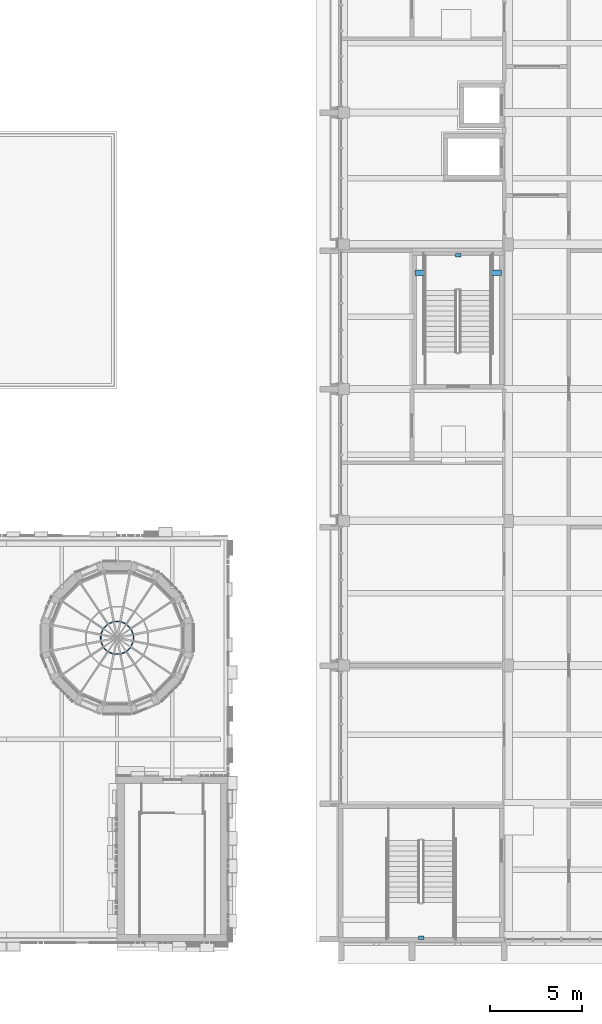
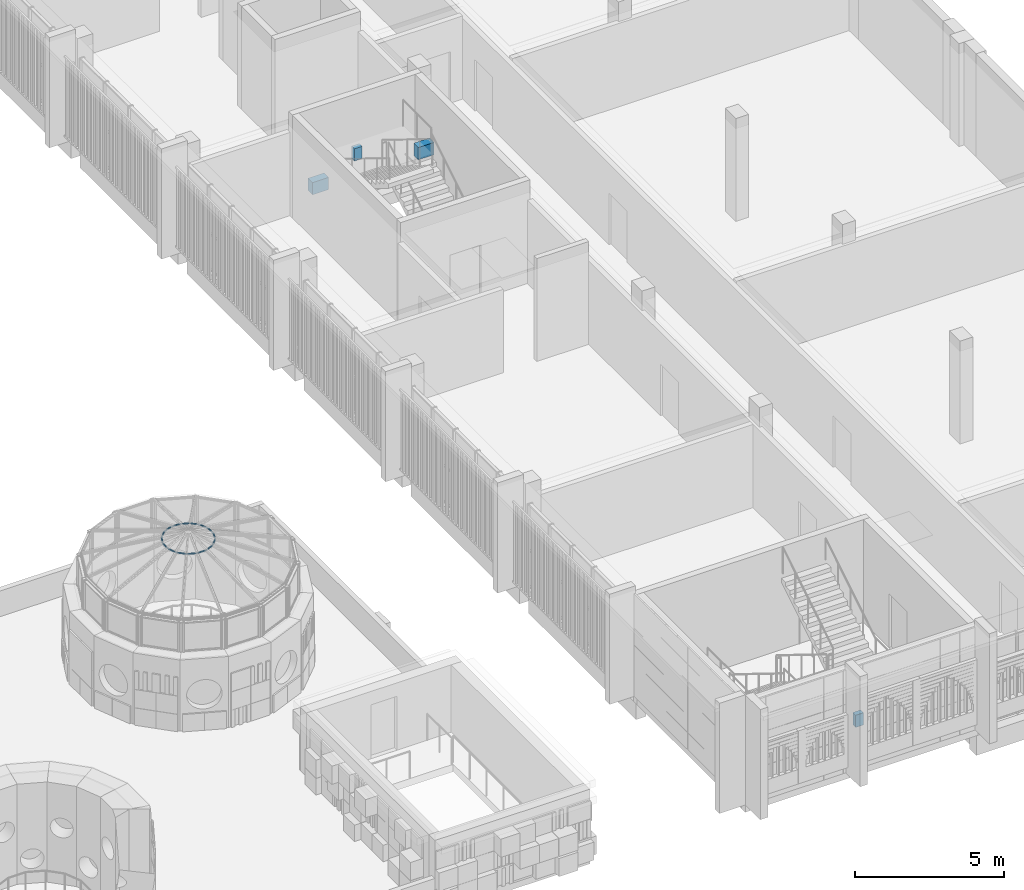
# One storey, part 41 of 98: 16 members, 4 beams.
"""IFC4 building model written with IfcOpenShell, lengths in metres."""

import ifcopenshell
import ifcopenshell.guid

model = None  # the IFC model being written
_history = None  # IfcOwnerHistory: only IFC2X3 demands one
_inside = {}  # id of a spatial element -> (the spatial element, [elements in it])
_under = {}  # id of a project, library or spatial element -> (it, [spatial elements below it])
_declared = {}  # id of a project -> (the project, [libraries it declares])
_typed = {}  # id of a type object -> (the type object, [elements of that type])
_made_of = {}  # id of a material, layer set ... -> (it, [elements and type objects made of it])


def new_model(schema):
    """Start an empty IFC model of exactly this schema.

    Asked for "IFC4X3", IfcOpenShell would pick the latest addendum, in which some entities
    have other attributes; the version numbers below select the first issue.
    IFC2X3 requires an IfcOwnerHistory on every rooted entity: one is made here for all.
    """
    global model, _history
    if schema == "IFC4X3":
        model = ifcopenshell.file(schema_version=(4, 3, 0, 0))
    else:
        model = ifcopenshell.file(schema=schema)
    _inside.clear()
    _under.clear()
    _declared.clear()
    _typed.clear()
    _made_of.clear()
    _history = None
    if model.schema == "IFC2X3":
        org = make("IfcOrganization", Name="unknown")
        user = make(
            "IfcPersonAndOrganization",
            ThePerson=make("IfcPerson", FamilyName="unknown"),
            TheOrganization=org,
        )
        app = make(
            "IfcApplication",
            ApplicationDeveloper=org,
            Version="unknown",
            ApplicationFullName="unknown",
            ApplicationIdentifier="unknown",
        )
        _history = make(
            "IfcOwnerHistory",
            OwningUser=user,
            OwningApplication=app,
            ChangeAction="ADDED",
            CreationDate=0,
        )
    return model


def make(cls, **values):
    """One entity of the class cls with the attributes given. An attribute that is None is left unset."""
    return model.create_entity(
        cls, **{name: value for name, value in values.items() if value is not None}
    )


def rooted(cls, **values):
    """An entity with a GlobalId (a new one), such as an element, a storey or a relation."""
    return make(cls, GlobalId=ifcopenshell.guid.new(), OwnerHistory=_history, **values)


def si_unit(unit_type, name, prefix=None):
    """IfcSIUnit, for example si_unit("LENGTHUNIT", "METRE", prefix="MILLI")."""
    return make("IfcSIUnit", UnitType=unit_type, Prefix=prefix, Name=name)


def assignment(units):
    """IfcUnitAssignment: the units of a project."""
    return None if units is None else make("IfcUnitAssignment", Units=units)


def point(xyz):
    """IfcCartesianPoint."""
    return None if xyz is None else make("IfcCartesianPoint", Coordinates=xyz)


def direction(xyz):
    """IfcDirection."""
    return None if xyz is None else make("IfcDirection", DirectionRatios=xyz)


def frame(location, z_axis=None, x_axis=None):
    """IfcAxis2Placement3D, a coordinate frame: its origin and axes. An axis left out is left unset."""
    return make(
        "IfcAxis2Placement3D",
        Location=point(location),
        Axis=direction(z_axis),
        RefDirection=direction(x_axis),
    )


def frame_2d(location, x_axis=None):
    """IfcAxis2Placement2D, a coordinate frame in the plane: its origin and x axis."""
    return make(
        "IfcAxis2Placement2D", Location=point(location), RefDirection=direction(x_axis)
    )


def origin():
    """The frame at (0, 0, 0) with its axes left unset."""
    return frame((0.0, 0.0, 0.0))


def origin_2d():
    """The frame at (0, 0) in the plane with its x axis left unset."""
    return frame_2d((0.0, 0.0))


def place(relative_to, where):
    """IfcLocalPlacement: puts the frame where relative to a parent placement (None: the world)."""
    return make(
        "IfcLocalPlacement", PlacementRelTo=relative_to, RelativePlacement=where
    )


def context(
    kind, dimensions, precision=None, world=None, true_north=None, identifier=None
):
    """IfcGeometricRepresentationContext, for example the 3D "Model" context."""
    return make(
        "IfcGeometricRepresentationContext",
        ContextIdentifier=identifier,
        ContextType=kind,
        CoordinateSpaceDimension=dimensions,
        Precision=precision,
        WorldCoordinateSystem=world,
        TrueNorth=true_north,
    )


def subcontext(parent, identifier, kind, view, scale=None):
    """IfcGeometricRepresentationSubContext, for example "Body" below "Model"."""
    return make(
        "IfcGeometricRepresentationSubContext",
        ContextIdentifier=identifier,
        ContextType=kind,
        ParentContext=parent,
        TargetScale=scale,
        TargetView=view,
    )


def project(units=None, contexts=None):
    """IfcProject with its units and contexts."""
    return rooted(
        "IfcProject",
        Name="project",
        RepresentationContexts=contexts,
        UnitsInContext=assignment(units),
    )


def spatial(cls, under=None, at=None, **own):
    """A site, building, storey or space (cls), placed at a placement, below another one or the project."""
    s = rooted(cls, ObjectPlacement=at, **own)
    if under is not None:
        _under.setdefault(under.id(), (under, []))[1].append(s)
    return s


def profile(cls, at=None, kind="AREA", **sizes):
    """A parametric profile (cls). Its sizes go by their IFC names, for example OverallWidth=200.0."""
    return make(cls, ProfileType=kind, Position=at, **sizes)


def rectangle(**sizes):
    """IfcRectangleProfileDef."""
    return profile("IfcRectangleProfileDef", **sizes)


def hollow_circle(**sizes):
    """IfcCircleHollowProfileDef."""
    return profile("IfcCircleHollowProfileDef", **sizes)


def extrude(swept, where, along, depth):
    """IfcExtrudedAreaSolid: the profile swept, set in the frame where, extruded along a direction by depth."""
    return make(
        "IfcExtrudedAreaSolid",
        SweptArea=swept,
        Position=where,
        ExtrudedDirection=direction(along),
        Depth=depth,
    )


def shape(context_of_items, identifier, shape_type, items):
    """IfcShapeRepresentation: the items that make up one representation, for example the "Body"."""
    return make(
        "IfcShapeRepresentation",
        ContextOfItems=context_of_items,
        RepresentationIdentifier=identifier,
        RepresentationType=shape_type,
        Items=items,
    )


def material(Name=None, Category=None):
    """IfcMaterial."""
    return make("IfcMaterial", Name=Name, Category=Category)


def material_profile(
    of_material, cross_section, Name=None, Category=None, Priority=None
):
    """IfcMaterialProfile: a cross section and its material."""
    return make(
        "IfcMaterialProfile",
        Name=Name,
        Material=of_material,
        Profile=cross_section,
        Priority=Priority,
        Category=Category,
    )


def profile_set(profiles, Name=None, composite=None):
    """IfcMaterialProfileSet."""
    return make(
        "IfcMaterialProfileSet",
        Name=Name,
        MaterialProfiles=profiles,
        CompositeProfile=composite,
    )


def made_of(thing, what):
    """Note that an element or type object is made of a material, layer set ...; save() writes the relation."""
    if what is not None:
        _made_of.setdefault(what.id(), (what, []))[1].append(thing)
    return thing


def type_object(cls, material=None, **own):
    """A type object (cls), such as IfcWallType, which elements share."""
    return made_of(rooted(cls, **own), material)


def element(
    cls,
    number,
    at=None,
    inside=None,
    cuts=None,
    type_object=None,
    material=None,
    context=None,
    identifier="Body",
    shape_type=None,
    held_by="IfcProductDefinitionShape",
    body=None,
    shapes=None,
    **own,
):
    """One element of the class cls, such as IfcWall. Its Tag is "e" and its number.

    at: its placement. inside: the storey or other place that contains it. cuts: it is an
    opening in that element (IfcRelVoidsElement). A single representation is given by context,
    identifier, shape_type and body (its items); several are given by shapes. held_by: the class
    of the entity that holds the representations. save() writes the other relations.
    """
    e = rooted(cls, Tag="e%d" % number, ObjectPlacement=at, **own)
    if body is not None:
        shapes = [shape(context, identifier, shape_type, body)]
    if shapes is not None:
        e.Representation = make(held_by, Representations=shapes)
    if inside is not None:
        _inside.setdefault(inside.id(), (inside, []))[1].append(e)
    if cuts is not None:
        rooted(
            "IfcRelVoidsElement", RelatingBuildingElement=cuts, RelatedOpeningElement=e
        )
    if type_object is not None:
        _typed.setdefault(type_object.id(), (type_object, []))[1].append(e)
    return made_of(e, material)


def aggregate(whole, parts):
    """IfcRelAggregates: a whole, such as a stair, and the parts it consists of."""
    return rooted("IfcRelAggregates", RelatingObject=whole, RelatedObjects=parts)


def save(model, path):
    """Write the relations noted so far, then the file.

    IfcRelAggregates (storeys below a building ...), IfcRelContainedInSpatialStructure (elements
    in a storey), IfcRelDefinesByType, IfcRelAssociatesMaterial and IfcRelDeclares: one each for
    every whole, place, type object, material and project.
    """
    for whole, parts in _under.values():
        aggregate(whole, parts)
    for where, things in _inside.values():
        rooted(
            "IfcRelContainedInSpatialStructure",
            RelatedElements=things,
            RelatingStructure=where,
        )
    for kind, things in _typed.values():
        rooted("IfcRelDefinesByType", RelatedObjects=things, RelatingType=kind)
    for what, things in _made_of.values():
        rooted("IfcRelAssociatesMaterial", RelatedObjects=things, RelatingMaterial=what)
    for by, libraries in _declared.values():
        rooted("IfcRelDeclares", RelatingContext=by, RelatedDefinitions=libraries)
    model.write(path)


model = new_model("IFC4")

# Units and contexts
model_context = context("Model", 3, precision=1e-05, world=origin(), true_north=direction((0.0, 1.0)))
body_context = subcontext(model_context, "Body", "Model", "MODEL_VIEW")
ifc_project = project(units=[si_unit("LENGTHUNIT", "METRE"), si_unit("AREAUNIT", "SQUARE_METRE"), si_unit("VOLUMEUNIT", "CUBIC_METRE"), si_unit("PLANEANGLEUNIT", "RADIAN"), si_unit("MASSUNIT", "GRAM", prefix="KILO")], contexts=[model_context])

# Site, building, storey
site_placement = place(None, origin())
site = spatial("IfcSite", under=ifc_project, at=site_placement, CompositionType="ELEMENT")
building_placement = place(site_placement, origin())
building = spatial("IfcBuilding", under=site, at=building_placement, Name="Sun Court Science Centre", CompositionType="ELEMENT")
storey_placement = place(building_placement, frame((0.0, 0.0, 15.75)))
storey = spatial("IfcBuildingStorey", under=building, at=storey_placement, Name="L03", CompositionType="ELEMENT", Elevation=15.75)

# Members
ifc_material_1 = material(Name="Steel S355", Category="steel")
ifc_material_profile_1 = material_profile(ifc_material_1, hollow_circle(Radius=0.030029296875, WallThickness=0.0048828125, at=origin_2d()), Name="CHS 60.3x5")
ifc_profile_set_1 = profile_set([ifc_material_profile_1], Name="Steel S355")
member_type = type_object("IfcMemberType", Name="Lantern vent ring CHS 60.3x5", PredefinedType="CHORD", material=ifc_profile_set_1)
member_1_placement = place(storey_placement, frame((66.8828125, 22.675537109375, 5.081298828125), z_axis=(-0.382986090474, 0.923754109329, 0.0), x_axis=(-0.923754109329, -0.382986090474, 0.0)))
element("IfcMember", 1, at=member_1_placement, inside=storey, type_object=member_type, Name="Cone 6 lantern vent ring 1", PredefinedType="CHORD", context=body_context, shape_type="SweptSolid", body=[
    extrude(hollow_circle(Radius=0.030029296875, WallThickness=0.0048828125, at=origin_2d()), origin(), (0.0, 0.0, 1.0), 0.351318359375),
])
member_2_placement = place(storey_placement, frame((66.748291015625, 23.0, 5.081298828125), z_axis=(-0.707106781187, 0.707106781187, 0.0), x_axis=(-0.707106781187, -0.707106781187, 0.0)))
element("IfcMember", 2, at=member_2_placement, inside=storey, type_object=member_type, Name="Cone 6 lantern vent ring 2", PredefinedType="CHORD", context=body_context, shape_type="SweptSolid", body=[
    extrude(hollow_circle(Radius=0.030029296875, WallThickness=0.0048828125, at=origin_2d()), origin(), (0.0, 0.0, 1.0), 0.35107421875),
])
member_3_placement = place(storey_placement, frame((66.5, 23.248291015625, 5.081298828125), z_axis=(-0.923754109329, 0.382986090474, 0.0), x_axis=(-0.382986090474, -0.923754109329, 0.0)))
element("IfcMember", 3, at=member_3_placement, inside=storey, type_object=member_type, Name="Cone 6 lantern vent ring 3", PredefinedType="CHORD", context=body_context, shape_type="SweptSolid", body=[
    extrude(hollow_circle(Radius=0.030029296875, WallThickness=0.0048828125, at=origin_2d()), origin(), (0.0, 0.0, 1.0), 0.351318359375),
])
member_4_placement = place(storey_placement, frame((66.175537109375, 23.3828125, 5.081298828125), z_axis=(-1.0, 0.0, 0.0), x_axis=(0.0, -1.0, 0.0)))
element("IfcMember", 4, at=member_4_placement, inside=storey, type_object=member_type, Name="Cone 6 lantern vent ring 4", PredefinedType="CHORD", context=body_context, shape_type="SweptSolid", body=[
    extrude(hollow_circle(Radius=0.030029296875, WallThickness=0.0048828125, at=origin_2d()), origin(), (0.0, 0.0, 1.0), 0.35107421875),
])
member_5_placement = place(storey_placement, frame((65.824462890625, 23.3828125, 5.081298828125), z_axis=(-0.923754109329, -0.382986090474, 0.0), x_axis=(0.382986090474, -0.923754109329, 0.0)))
element("IfcMember", 5, at=member_5_placement, inside=storey, type_object=member_type, Name="Cone 6 lantern vent ring 5", PredefinedType="CHORD", context=body_context, shape_type="SweptSolid", body=[
    extrude(hollow_circle(Radius=0.030029296875, WallThickness=0.0048828125, at=origin_2d()), origin(), (0.0, 0.0, 1.0), 0.351318359375),
])
member_6_placement = place(storey_placement, frame((65.5, 23.248291015625, 5.081298828125), z_axis=(-0.707106781187, -0.707106781187, 0.0), x_axis=(0.707106781187, -0.707106781187, 0.0)))
element("IfcMember", 6, at=member_6_placement, inside=storey, type_object=member_type, Name="Cone 6 lantern vent ring 6", PredefinedType="CHORD", context=body_context, shape_type="SweptSolid", body=[
    extrude(hollow_circle(Radius=0.030029296875, WallThickness=0.0048828125, at=origin_2d()), origin(), (0.0, 0.0, 1.0), 0.35107421875),
])
member_7_placement = place(storey_placement, frame((65.251708984375, 23.0, 5.081298828125), z_axis=(-0.382986090474, -0.923754109329, 0.0), x_axis=(0.923754109329, -0.382986090474, 0.0)))
element("IfcMember", 7, at=member_7_placement, inside=storey, type_object=member_type, Name="Cone 6 lantern vent ring 7", PredefinedType="CHORD", context=body_context, shape_type="SweptSolid", body=[
    extrude(hollow_circle(Radius=0.030029296875, WallThickness=0.0048828125, at=origin_2d()), origin(), (0.0, 0.0, 1.0), 0.351318359375),
])
member_8_placement = place(storey_placement, frame((65.1171875, 22.675537109375, 5.081298828125), z_axis=(0.0, -1.0, 0.0), x_axis=(1.0, 0.0, 0.0)))
element("IfcMember", 8, at=member_8_placement, inside=storey, type_object=member_type, Name="Cone 6 lantern vent ring 8", PredefinedType="CHORD", context=body_context, shape_type="SweptSolid", body=[
    extrude(hollow_circle(Radius=0.030029296875, WallThickness=0.0048828125, at=origin_2d()), origin(), (0.0, 0.0, 1.0), 0.35107421875),
])
member_9_placement = place(storey_placement, frame((65.1171875, 22.324462890625, 5.081298828125), z_axis=(0.382986090474, -0.923754109329, 0.0), x_axis=(0.923754109329, 0.382986090474, 0.0)))
element("IfcMember", 9, at=member_9_placement, inside=storey, type_object=member_type, Name="Cone 6 lantern vent ring 9", PredefinedType="CHORD", context=body_context, shape_type="SweptSolid", body=[
    extrude(hollow_circle(Radius=0.030029296875, WallThickness=0.0048828125, at=origin_2d()), origin(), (0.0, 0.0, 1.0), 0.351318359375),
])
member_10_placement = place(storey_placement, frame((65.251708984375, 22.0, 5.081298828125), z_axis=(0.707106781187, -0.707106781187, 0.0), x_axis=(0.707106781187, 0.707106781187, 0.0)))
element("IfcMember", 10, at=member_10_placement, inside=storey, type_object=member_type, Name="Cone 6 lantern vent ring 10", PredefinedType="CHORD", context=body_context, shape_type="SweptSolid", body=[
    extrude(hollow_circle(Radius=0.030029296875, WallThickness=0.0048828125, at=origin_2d()), origin(), (0.0, 0.0, 1.0), 0.35107421875),
])
member_11_placement = place(storey_placement, frame((65.5, 21.751708984375, 5.081298828125), z_axis=(0.923754109329, -0.382986090474, 0.0), x_axis=(0.382986090474, 0.923754109329, 0.0)))
element("IfcMember", 11, at=member_11_placement, inside=storey, type_object=member_type, Name="Cone 6 lantern vent ring 11", PredefinedType="CHORD", context=body_context, shape_type="SweptSolid", body=[
    extrude(hollow_circle(Radius=0.030029296875, WallThickness=0.0048828125, at=origin_2d()), origin(), (0.0, 0.0, 1.0), 0.351318359375),
])
member_12_placement = place(storey_placement, frame((65.824462890625, 21.6171875, 5.081298828125), z_axis=(1.0, 0.0, 0.0), x_axis=(0.0, 1.0, 0.0)))
element("IfcMember", 12, at=member_12_placement, inside=storey, type_object=member_type, Name="Cone 6 lantern vent ring 12", PredefinedType="CHORD", context=body_context, shape_type="SweptSolid", body=[
    extrude(hollow_circle(Radius=0.030029296875, WallThickness=0.0048828125, at=origin_2d()), origin(), (0.0, 0.0, 1.0), 0.35107421875),
])
member_13_placement = place(storey_placement, frame((66.175537109375, 21.6171875, 5.081298828125), z_axis=(0.923754109329, 0.382986090474, 0.0), x_axis=(-0.382986090474, 0.923754109329, 0.0)))
element("IfcMember", 13, at=member_13_placement, inside=storey, type_object=member_type, Name="Cone 6 lantern vent ring 13", PredefinedType="CHORD", context=body_context, shape_type="SweptSolid", body=[
    extrude(hollow_circle(Radius=0.030029296875, WallThickness=0.0048828125, at=origin_2d()), origin(), (0.0, 0.0, 1.0), 0.351318359375),
])
member_14_placement = place(storey_placement, frame((66.5, 21.751708984375, 5.081298828125), z_axis=(0.707106781187, 0.707106781187, 0.0), x_axis=(-0.707106781187, 0.707106781187, 0.0)))
element("IfcMember", 14, at=member_14_placement, inside=storey, type_object=member_type, Name="Cone 6 lantern vent ring 14", PredefinedType="CHORD", context=body_context, shape_type="SweptSolid", body=[
    extrude(hollow_circle(Radius=0.030029296875, WallThickness=0.0048828125, at=origin_2d()), origin(), (0.0, 0.0, 1.0), 0.35107421875),
])
member_15_placement = place(storey_placement, frame((66.748291015625, 22.0, 5.081298828125), z_axis=(0.382986090474, 0.923754109329, 0.0), x_axis=(-0.923754109329, 0.382986090474, 0.0)))
element("IfcMember", 15, at=member_15_placement, inside=storey, type_object=member_type, Name="Cone 6 lantern vent ring 15", PredefinedType="CHORD", context=body_context, shape_type="SweptSolid", body=[
    extrude(hollow_circle(Radius=0.030029296875, WallThickness=0.0048828125, at=origin_2d()), origin(), (0.0, 0.0, 1.0), 0.351318359375),
])
member_16_placement = place(storey_placement, frame((66.8828125, 22.324462890625, 5.081298828125), z_axis=(0.0, 1.0, 0.0), x_axis=(-1.0, 0.0, 0.0)))
element("IfcMember", 16, at=member_16_placement, inside=storey, type_object=member_type, Name="Cone 6 lantern vent ring 16", PredefinedType="CHORD", context=body_context, shape_type="SweptSolid", body=[
    extrude(hollow_circle(Radius=0.030029296875, WallThickness=0.0048828125, at=origin_2d()), origin(), (0.0, 0.0, 1.0), 0.35107421875),
])

# Beams
ifc_material_2 = material(Name="Concrete C25/30", Category="concrete")
ifc_material_profile_2 = material_profile(ifc_material_2, rectangle(XDim=0.300048828125, YDim=0.5, at=origin_2d()), Name="RC 300x500")
ifc_profile_set_2 = profile_set([ifc_material_profile_2], Name="Concrete C25/30")
beam_type = type_object("IfcBeamType", Name="RC landing trimmer 300x500", PredefinedType="BEAM", material=ifc_profile_set_2)
beam_1_placement = place(storey_placement, frame((82.5, 6.14990234375, 1.800048828125), z_axis=(0.0, 1.0, 0.0), x_axis=(-1.0, 0.0, 0.0)))
element("IfcBeam", 17, at=beam_1_placement, inside=storey, type_object=beam_type, Name="SL1 landing 1 trimmer beam 24", PredefinedType="BEAM", context=body_context, shape_type="SweptSolid", body=[
    extrude(rectangle(XDim=0.300048828125, YDim=0.5, at=origin_2d()), origin(), (0.0, 0.0, 1.0), 0.190185546875),
])
for number, where, z_axis, x_axis, name in (
    (18, (86.85009765625, 42.303955078125, 1.800048828125), (-1.0, 0.0, 0.0), (0.0, -1.0, 0.0), "SL2 landing 1 trimmer beam 22"),
    (19, (82.14990234375, 42.303955078125, 1.800048828125), (1.0, 0.0, 0.0), (0.0, 1.0, 0.0), "SL2 landing 1 trimmer beam 23"),
):
    element("IfcBeam", number, at=place(storey_placement, frame(where, z_axis=z_axis, x_axis=x_axis)), inside=storey, type_object=beam_type, Name=name, PredefinedType="BEAM", context=body_context, shape_type="SweptSolid", body=[
        extrude(rectangle(XDim=0.300048828125, YDim=0.5, at=origin_2d()), origin(), (0.0, 0.0, 1.0), 0.6171875),
    ])
beam_2_placement = place(storey_placement, frame((84.5, 43.35009765625, 1.800048828125), z_axis=(0.0, -1.0, 0.0), x_axis=(1.0, 0.0, 0.0)))
element("IfcBeam", 20, at=beam_2_placement, inside=storey, type_object=beam_type, Name="SL2 landing 1 trimmer beam 24", PredefinedType="BEAM", context=body_context, shape_type="SweptSolid", body=[
    extrude(rectangle(XDim=0.300048828125, YDim=0.5, at=origin_2d()), origin(), (0.0, 0.0, 1.0), 0.190185546875),
])

save(model, "model.ifc")
